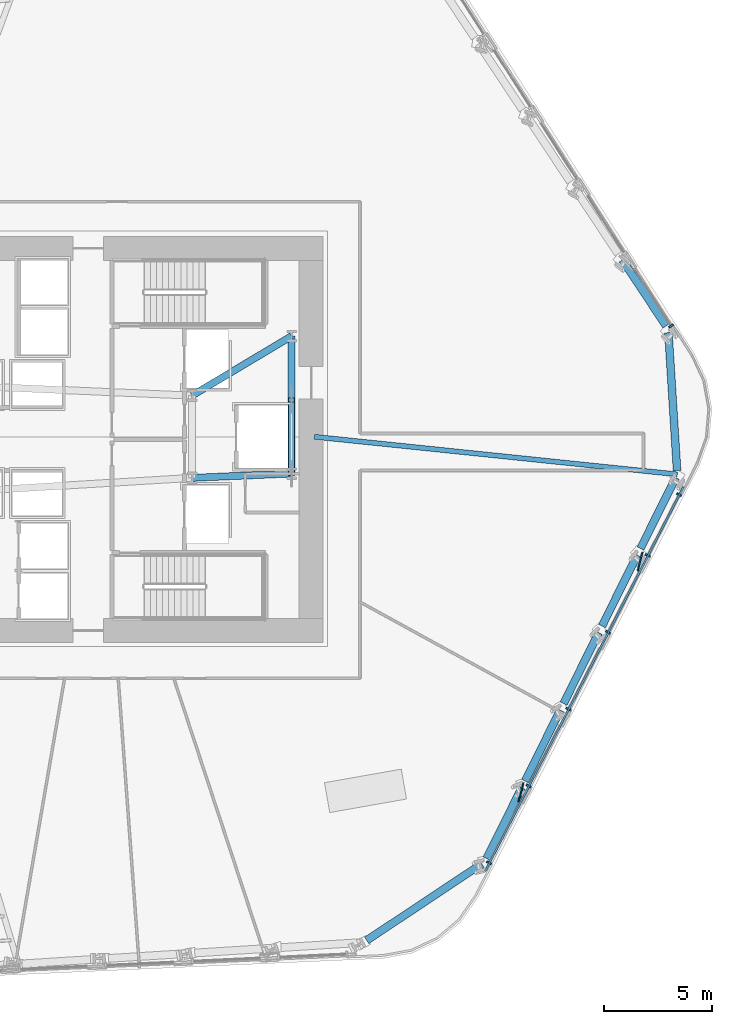
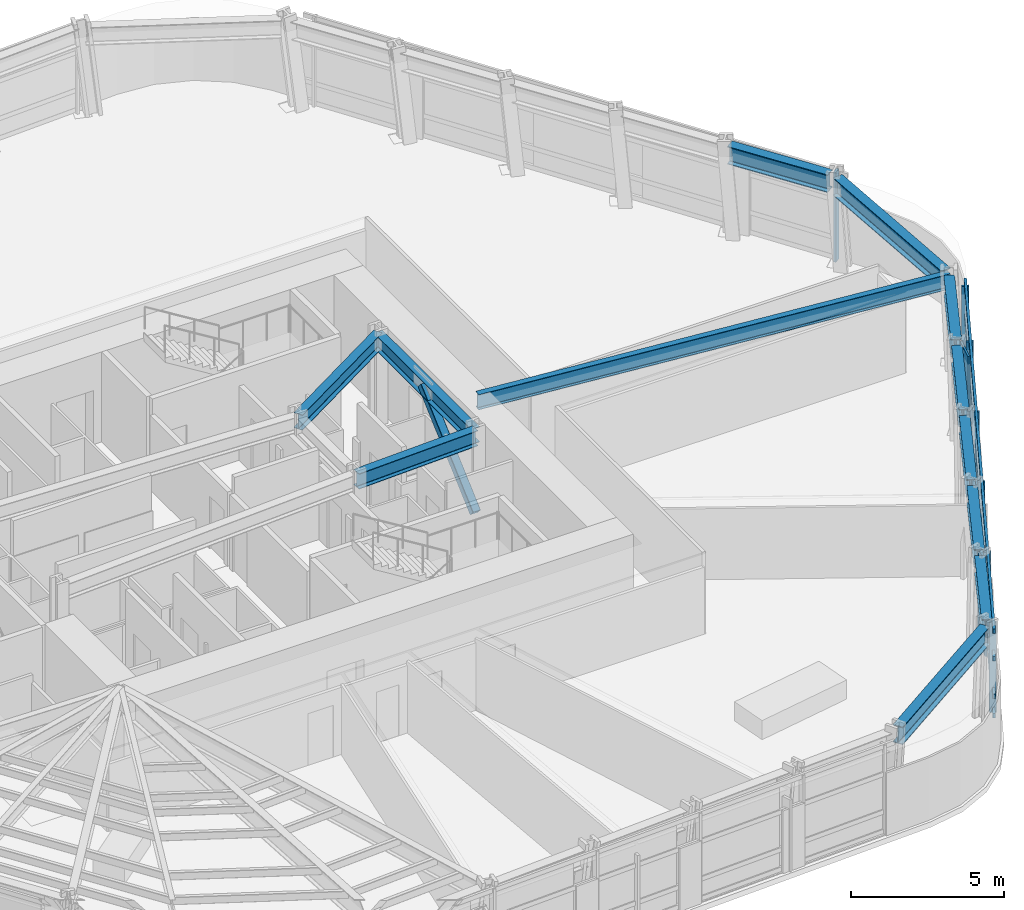
# One storey, part 4 of 15: 14 members, 12 beams, 2 elements without a shape of their own.
"""IFC4 building model written with IfcOpenShell, lengths in metres."""

import ifcopenshell
import ifcopenshell.guid

model = None  # the IFC model being written
_history = None  # IfcOwnerHistory: only IFC2X3 demands one
_inside = {}  # id of a spatial element -> (the spatial element, [elements in it])
_under = {}  # id of a project, library or spatial element -> (it, [spatial elements below it])
_declared = {}  # id of a project -> (the project, [libraries it declares])
_typed = {}  # id of a type object -> (the type object, [elements of that type])
_made_of = {}  # id of a material, layer set ... -> (it, [elements and type objects made of it])


def new_model(schema):
    """Start an empty IFC model of exactly this schema.

    Asked for "IFC4X3", IfcOpenShell would pick the latest addendum, in which some entities
    have other attributes; the version numbers below select the first issue.
    IFC2X3 requires an IfcOwnerHistory on every rooted entity: one is made here for all.
    """
    global model, _history
    if schema == "IFC4X3":
        model = ifcopenshell.file(schema_version=(4, 3, 0, 0))
    else:
        model = ifcopenshell.file(schema=schema)
    _inside.clear()
    _under.clear()
    _declared.clear()
    _typed.clear()
    _made_of.clear()
    _history = None
    if model.schema == "IFC2X3":
        org = make("IfcOrganization", Name="unknown")
        user = make(
            "IfcPersonAndOrganization",
            ThePerson=make("IfcPerson", FamilyName="unknown"),
            TheOrganization=org,
        )
        app = make(
            "IfcApplication",
            ApplicationDeveloper=org,
            Version="unknown",
            ApplicationFullName="unknown",
            ApplicationIdentifier="unknown",
        )
        _history = make(
            "IfcOwnerHistory",
            OwningUser=user,
            OwningApplication=app,
            ChangeAction="ADDED",
            CreationDate=0,
        )
    return model


def make(cls, **values):
    """One entity of the class cls with the attributes given. An attribute that is None is left unset."""
    return model.create_entity(
        cls, **{name: value for name, value in values.items() if value is not None}
    )


def rooted(cls, **values):
    """An entity with a GlobalId (a new one), such as an element, a storey or a relation."""
    return make(cls, GlobalId=ifcopenshell.guid.new(), OwnerHistory=_history, **values)


def si_unit(unit_type, name, prefix=None):
    """IfcSIUnit, for example si_unit("LENGTHUNIT", "METRE", prefix="MILLI")."""
    return make("IfcSIUnit", UnitType=unit_type, Prefix=prefix, Name=name)


def assignment(units):
    """IfcUnitAssignment: the units of a project."""
    return None if units is None else make("IfcUnitAssignment", Units=units)


def point(xyz):
    """IfcCartesianPoint."""
    return None if xyz is None else make("IfcCartesianPoint", Coordinates=xyz)


def direction(xyz):
    """IfcDirection."""
    return None if xyz is None else make("IfcDirection", DirectionRatios=xyz)


def frame(location, z_axis=None, x_axis=None):
    """IfcAxis2Placement3D, a coordinate frame: its origin and axes. An axis left out is left unset."""
    return make(
        "IfcAxis2Placement3D",
        Location=point(location),
        Axis=direction(z_axis),
        RefDirection=direction(x_axis),
    )


def frame_2d(location, x_axis=None):
    """IfcAxis2Placement2D, a coordinate frame in the plane: its origin and x axis."""
    return make(
        "IfcAxis2Placement2D", Location=point(location), RefDirection=direction(x_axis)
    )


def origin():
    """The frame at (0, 0, 0) with its axes left unset."""
    return frame((0.0, 0.0, 0.0))


def origin_2d():
    """The frame at (0, 0) in the plane with its x axis left unset."""
    return frame_2d((0.0, 0.0))


def place(relative_to, where):
    """IfcLocalPlacement: puts the frame where relative to a parent placement (None: the world)."""
    return make(
        "IfcLocalPlacement", PlacementRelTo=relative_to, RelativePlacement=where
    )


def context(
    kind, dimensions, precision=None, world=None, true_north=None, identifier=None
):
    """IfcGeometricRepresentationContext, for example the 3D "Model" context."""
    return make(
        "IfcGeometricRepresentationContext",
        ContextIdentifier=identifier,
        ContextType=kind,
        CoordinateSpaceDimension=dimensions,
        Precision=precision,
        WorldCoordinateSystem=world,
        TrueNorth=true_north,
    )


def subcontext(parent, identifier, kind, view, scale=None):
    """IfcGeometricRepresentationSubContext, for example "Body" below "Model"."""
    return make(
        "IfcGeometricRepresentationSubContext",
        ContextIdentifier=identifier,
        ContextType=kind,
        ParentContext=parent,
        TargetScale=scale,
        TargetView=view,
    )


def project(units=None, contexts=None):
    """IfcProject with its units and contexts."""
    return rooted(
        "IfcProject",
        Name="project",
        RepresentationContexts=contexts,
        UnitsInContext=assignment(units),
    )


def spatial(cls, under=None, at=None, **own):
    """A site, building, storey or space (cls), placed at a placement, below another one or the project."""
    s = rooted(cls, ObjectPlacement=at, **own)
    if under is not None:
        _under.setdefault(under.id(), (under, []))[1].append(s)
    return s


def profile(cls, at=None, kind="AREA", **sizes):
    """A parametric profile (cls). Its sizes go by their IFC names, for example OverallWidth=200.0."""
    return make(cls, ProfileType=kind, Position=at, **sizes)


def rectangle(**sizes):
    """IfcRectangleProfileDef."""
    return profile("IfcRectangleProfileDef", **sizes)


def hollow_rectangle(**sizes):
    """IfcRectangleHollowProfileDef."""
    return profile("IfcRectangleHollowProfileDef", **sizes)


def i_section(**sizes):
    """IfcIShapeProfileDef."""
    return profile("IfcIShapeProfileDef", **sizes)


def extrude(swept, where, along, depth):
    """IfcExtrudedAreaSolid: the profile swept, set in the frame where, extruded along a direction by depth."""
    return make(
        "IfcExtrudedAreaSolid",
        SweptArea=swept,
        Position=where,
        ExtrudedDirection=direction(along),
        Depth=depth,
    )


def shape(context_of_items, identifier, shape_type, items):
    """IfcShapeRepresentation: the items that make up one representation, for example the "Body"."""
    return make(
        "IfcShapeRepresentation",
        ContextOfItems=context_of_items,
        RepresentationIdentifier=identifier,
        RepresentationType=shape_type,
        Items=items,
    )


def material(Name=None, Category=None):
    """IfcMaterial."""
    return make("IfcMaterial", Name=Name, Category=Category)


def layer(
    of_material, thickness, ventilated=None, Name=None, Category=None, Priority=None
):
    """IfcMaterialLayer: one layer of a wall or slab, of a material (None: an air gap)."""
    return make(
        "IfcMaterialLayer",
        Material=of_material,
        LayerThickness=thickness,
        IsVentilated=ventilated,
        Name=Name,
        Category=Category,
        Priority=Priority,
    )


def layer_set(layers, Name=None):
    """IfcMaterialLayerSet."""
    return make("IfcMaterialLayerSet", MaterialLayers=layers, LayerSetName=Name)


def material_profile(
    of_material, cross_section, Name=None, Category=None, Priority=None
):
    """IfcMaterialProfile: a cross section and its material."""
    return make(
        "IfcMaterialProfile",
        Name=Name,
        Material=of_material,
        Profile=cross_section,
        Priority=Priority,
        Category=Category,
    )


def profile_set(profiles, Name=None, composite=None):
    """IfcMaterialProfileSet."""
    return make(
        "IfcMaterialProfileSet",
        Name=Name,
        MaterialProfiles=profiles,
        CompositeProfile=composite,
    )


def made_of(thing, what):
    """Note that an element or type object is made of a material, layer set ...; save() writes the relation."""
    if what is not None:
        _made_of.setdefault(what.id(), (what, []))[1].append(thing)
    return thing


def type_object(cls, material=None, **own):
    """A type object (cls), such as IfcWallType, which elements share."""
    return made_of(rooted(cls, **own), material)


def element(
    cls,
    number,
    at=None,
    inside=None,
    cuts=None,
    type_object=None,
    material=None,
    context=None,
    identifier="Body",
    shape_type=None,
    held_by="IfcProductDefinitionShape",
    body=None,
    shapes=None,
    **own,
):
    """One element of the class cls, such as IfcWall. Its Tag is "e" and its number.

    at: its placement. inside: the storey or other place that contains it. cuts: it is an
    opening in that element (IfcRelVoidsElement). A single representation is given by context,
    identifier, shape_type and body (its items); several are given by shapes. held_by: the class
    of the entity that holds the representations. save() writes the other relations.
    """
    e = rooted(cls, Tag="e%d" % number, ObjectPlacement=at, **own)
    if body is not None:
        shapes = [shape(context, identifier, shape_type, body)]
    if shapes is not None:
        e.Representation = make(held_by, Representations=shapes)
    if inside is not None:
        _inside.setdefault(inside.id(), (inside, []))[1].append(e)
    if cuts is not None:
        rooted(
            "IfcRelVoidsElement", RelatingBuildingElement=cuts, RelatedOpeningElement=e
        )
    if type_object is not None:
        _typed.setdefault(type_object.id(), (type_object, []))[1].append(e)
    return made_of(e, material)


def aggregate(whole, parts):
    """IfcRelAggregates: a whole, such as a stair, and the parts it consists of."""
    return rooted("IfcRelAggregates", RelatingObject=whole, RelatedObjects=parts)


def save(model, path):
    """Write the relations noted so far, then the file.

    IfcRelAggregates (storeys below a building ...), IfcRelContainedInSpatialStructure (elements
    in a storey), IfcRelDefinesByType, IfcRelAssociatesMaterial and IfcRelDeclares: one each for
    every whole, place, type object, material and project.
    """
    for whole, parts in _under.values():
        aggregate(whole, parts)
    for where, things in _inside.values():
        rooted(
            "IfcRelContainedInSpatialStructure",
            RelatedElements=things,
            RelatingStructure=where,
        )
    for kind, things in _typed.values():
        rooted("IfcRelDefinesByType", RelatedObjects=things, RelatingType=kind)
    for what, things in _made_of.values():
        rooted("IfcRelAssociatesMaterial", RelatedObjects=things, RelatingMaterial=what)
    for by, libraries in _declared.values():
        rooted("IfcRelDeclares", RelatingContext=by, RelatedDefinitions=libraries)
    model.write(path)


model = new_model("IFC4")

# Units and contexts
model_context = context("Model", 3, precision=1e-05, world=origin(), true_north=direction((0.0, 1.0)))
body_context = subcontext(model_context, "Body", "Model", "MODEL_VIEW")
ifc_project = project(units=[si_unit("LENGTHUNIT", "METRE"), si_unit("AREAUNIT", "SQUARE_METRE"), si_unit("VOLUMEUNIT", "CUBIC_METRE"), si_unit("PLANEANGLEUNIT", "RADIAN"), si_unit("MASSUNIT", "GRAM", prefix="KILO")], contexts=[model_context])

# Site, building, storey
site_placement = place(None, origin())
site = spatial("IfcSite", under=ifc_project, at=site_placement, CompositionType="ELEMENT")
building_placement = place(site_placement, origin())
building = spatial("IfcBuilding", under=site, at=building_placement, Name="Valkerne Bourse Tower", CompositionType="ELEMENT")
storey_placement = place(building_placement, frame((0.0, 0.0, 35.39990234375)))
storey = spatial("IfcBuildingStorey", under=building, at=storey_placement, Name="L08", CompositionType="ELEMENT", Elevation=35.39990234375)

# Beams
ifc_material_1 = material(Name="Steel ASTM A992", Category="steel")
ifc_material_profile_1 = material_profile(ifc_material_1, i_section(OverallWidth=0.3251953125, OverallDepth=0.612060546875, WebThickness=0.0126953125, FlangeThickness=0.01904296875, FilletRadius=0.020263671875, at=origin_2d()), Name="W24X104")
ifc_profile_set_1 = profile_set([ifc_material_profile_1], Name="Steel ASTM A992")
beam_type_1 = type_object("IfcBeamType", Name="BM-W24X104", PredefinedType="BEAM", material=ifc_profile_set_1)
beam_1_placement = place(storey_placement, frame((50.35009765625, 25.10009765625, 3.27392578125), z_axis=(0.999056558506, 0.043428019819, 0.0), x_axis=(-0.043428019819, 0.999056558506, 0.0)))
element("IfcBeam", 1, at=beam_1_placement, inside=storey, type_object=beam_type_1, Name="L08 Core Frame Girder CG-SE", PredefinedType="BEAM", context=body_context, shape_type="SweptSolid", body=[
    extrude(i_section(OverallWidth=0.3251953125, OverallDepth=0.612060546875, WebThickness=0.0126953125, FlangeThickness=0.01904296875, FilletRadius=0.020263671875, at=origin_2d()), origin(), (0.0, 0.0, 1.0), 4.604248046875),
])
beam_2_placement = place(storey_placement, frame((50.35009765625, 28.89990234375, 3.27392578125), z_axis=(0.858307823492, 0.513135148019, 0.0), x_axis=(-0.513135148019, 0.858307823492, 0.0)))
element("IfcBeam", 2, at=beam_2_placement, inside=storey, type_object=beam_type_1, Name="L08 Core Frame Girder CG-NE", PredefinedType="BEAM", context=body_context, shape_type="SweptSolid", body=[
    extrude(i_section(OverallWidth=0.3251953125, OverallDepth=0.612060546875, WebThickness=0.0126953125, FlangeThickness=0.01904296875, FilletRadius=0.020263671875, at=origin_2d()), origin(), (0.0, 0.0, 1.0), 5.359130859375),
])
beam_3_placement = place(storey_placement, frame((54.949951171875, 25.300048828125, 3.27392578125), z_axis=(0.0, 1.0, 0.0), x_axis=(-1.0, 0.0, 0.0)))
element("IfcBeam", 3, at=beam_3_placement, inside=storey, type_object=beam_type_1, Name="L08 Core Frame Girder CG-EE", PredefinedType="BEAM", context=body_context, shape_type="SweptSolid", body=[
    extrude(i_section(OverallWidth=0.3251953125, OverallDepth=0.612060546875, WebThickness=0.0126953125, FlangeThickness=0.01904296875, FilletRadius=0.020263671875, at=origin_2d()), origin(), (0.0, 0.0, 1.0), 6.349853515625),
])
ifc_material_profile_2 = material_profile(ifc_material_1, i_section(OverallWidth=0.228271484375, OverallDepth=0.607177734375, WebThickness=0.01123046875, FlangeThickness=0.017333984375, FilletRadius=0.017822265625, at=origin_2d()), Name="W24X76")
ifc_profile_set_2 = profile_set([ifc_material_profile_2], Name="Steel ASTM A992")
beam_type_2 = type_object("IfcBeamType", Name="BM-W24X76", PredefinedType="JOIST", material=ifc_profile_set_2)
beam_4_placement = place(storey_placement, frame((72.767822265625, 25.2626953125, 3.276611328125), z_axis=(-0.994675373314, 0.103057759155, 0.0), x_axis=(-0.103057759155, -0.994675373314, 0.0)))
element("IfcBeam", 4, at=beam_4_placement, inside=storey, type_object=beam_type_2, Name="L08 Radial Composite Floor Beam 35", PredefinedType="JOIST", context=body_context, shape_type="SweptSolid", body=[
    extrude(i_section(OverallWidth=0.228271484375, OverallDepth=0.607177734375, WebThickness=0.01123046875, FlangeThickness=0.017333984375, FilletRadius=0.017822265625, at=origin_2d()), origin(), (0.0, 0.0, 1.0), 16.857666015625),
])
ifc_material_profile_3 = material_profile(ifc_material_1, i_section(OverallWidth=0.358154296875, OverallDepth=0.7060546875, WebThickness=0.018310546875, FlangeThickness=0.0302734375, FilletRadius=0.02294921875, at=origin_2d()), Name="W27X178")
ifc_profile_set_3 = profile_set([ifc_material_profile_3], Name="Steel ASTM A992")
beam_type_3 = type_object("IfcBeamType", Name="BM-W27X178", PredefinedType="SPANDREL", material=ifc_profile_set_3)
beam_5_placement = place(storey_placement, frame((72.251220703125, 32.119873046875, 3.22705078125), z_axis=(-0.553389631883, 0.832922514598, 0.0), x_axis=(-0.832922514598, -0.553389631883, 0.0)))
element("IfcBeam", 5, at=beam_5_placement, inside=storey, type_object=beam_type_3, Name="L08 Hexagonal Spandrel Ring Beam 00", PredefinedType="SPANDREL", context=body_context, shape_type="SweptSolid", body=[
    extrude(i_section(OverallWidth=0.358154296875, OverallDepth=0.7060546875, WebThickness=0.018310546875, FlangeThickness=0.0302734375, FilletRadius=0.02294921875, at=origin_2d()), origin(), (0.0, 0.0, 1.0), 3.656005859375),
])
beam_6_placement = place(storey_placement, frame((58.4208984375, 3.736572265625, 3.22705078125), z_axis=(0.832919341556, 0.55339440769, 0.0), x_axis=(-0.55339440769, 0.832919341556, 0.0)))
element("IfcBeam", 6, at=beam_6_placement, inside=storey, type_object=beam_type_3, Name="L08 Hexagonal Spandrel Ring Beam 29", PredefinedType="SPANDREL", context=body_context, shape_type="SweptSolid", body=[
    extrude(i_section(OverallWidth=0.358154296875, OverallDepth=0.7060546875, WebThickness=0.018310546875, FlangeThickness=0.0302734375, FilletRadius=0.02294921875, at=origin_2d()), origin(), (0.0, 0.0, 1.0), 6.388916015625),
])
for number, where, z_axis, x_axis, name in (
    (7, (63.959716796875, 7.5185546875, 3.22705078125), (0.444620658379, 0.895718968284, 0.0), (-0.895718968284, 0.444620658379, 0.0), "L08 Hexagonal Spandrel Ring Beam 30"),
    (8, (65.736328125, 11.097900390625, 3.22705078125), (0.444620658379, 0.895718968284, 0.0), (-0.895718968284, 0.444620658379, 0.0), "L08 Hexagonal Spandrel Ring Beam 31"),
    (9, (67.51318359375, 14.677001953125, 3.22705078125), (0.444594064329, 0.895732168655, 0.0), (-0.895732168655, 0.444594064329, 0.0), "L08 Hexagonal Spandrel Ring Beam 32"),
    (10, (69.289794921875, 18.25634765625, 3.22705078125), (0.444674234349, 0.895692372026, 0.0), (-0.895692372026, 0.444674234349, 0.0), "L08 Hexagonal Spandrel Ring Beam 33"),
    (11, (71.066650390625, 21.835693359375, 3.22705078125), (0.444620658379, 0.895718968284, 0.0), (-0.895718968284, 0.444620658379, 0.0), "L08 Hexagonal Spandrel Ring Beam 34"),
):
    element("IfcBeam", number, at=place(storey_placement, frame(where, z_axis=z_axis, x_axis=x_axis)), inside=storey, type_object=beam_type_3, Name=name, PredefinedType="SPANDREL", context=body_context, shape_type="SweptSolid", body=[
        extrude(i_section(OverallWidth=0.358154296875, OverallDepth=0.7060546875, WebThickness=0.018310546875, FlangeThickness=0.0302734375, FilletRadius=0.02294921875, at=origin_2d()), origin(), (0.0, 0.0, 1.0), 3.656005859375),
    ])
beam_7_placement = place(storey_placement, frame((72.757080078125, 25.432373046875, 3.22705078125), z_axis=(-0.062785100698, 0.998027069337, 0.0), x_axis=(-0.998027069337, -0.062785100698, 0.0)))
element("IfcBeam", 12, at=beam_7_placement, inside=storey, type_object=beam_type_3, Name="L08 Hexagonal Spandrel Ring Beam 35", PredefinedType="SPANDREL", context=body_context, shape_type="SweptSolid", body=[
    extrude(i_section(OverallWidth=0.358154296875, OverallDepth=0.7060546875, WebThickness=0.018310546875, FlangeThickness=0.0302734375, FilletRadius=0.02294921875, at=origin_2d()), origin(), (0.0, 0.0, 1.0), 6.388916015625),
])

# Curtain wall, member
ifc_material_2 = material(Name="Aluminium AA 6063-T6", Category="aluminium")
ifc_layer = layer(ifc_material_2, 0.22509765625)
ifc_layer_set = layer_set([ifc_layer], Name="Aluminium AA 6063-T6")
curtain_wall_type = type_object("IfcCurtainWallType", Name="CW-01", PredefinedType="NOTDEFINED", material=ifc_layer_set)
curtain_wall_1_placement = place(storey_placement, origin())
curtain_wall_1 = element("IfcCurtainWall", 13, at=curtain_wall_1_placement, inside=storey, type_object=curtain_wall_type, Name="L08 Hexagonal Stick Curtain Wall Face 1", PredefinedType="NOTDEFINED")
ifc_material_profile_4 = material_profile(ifc_material_2, rectangle(XDim=0.090087890625, YDim=0.239990234375, at=origin_2d()), Name="CWM-90X240")
ifc_profile_set_4 = profile_set([ifc_material_profile_4], Name="Aluminium AA 6063-T6")
member_type_1 = type_object("IfcMemberType", Name="CW-MUL-240X90", PredefinedType="MULLION", material=ifc_profile_set_4)
member_1_placement = place(storey_placement, frame((72.4794921875, 32.113525390625, 0.0), z_axis=(0.0, 0.0, 1.0), x_axis=(-0.540237656625, 0.841512492102, 0.0)))
member_1 = element("IfcMember", 14, at=member_1_placement, type_object=member_type_1, Name="CW-L08-F1 Jamb Mullion 00A", PredefinedType="MULLION", context=body_context, shape_type="SweptSolid", body=[
    extrude(rectangle(XDim=0.090087890625, YDim=0.239990234375, at=origin_2d()), origin(), (0.0, 0.0, 1.0), 3.580078125),
])
aggregate(curtain_wall_1, [member_1])

# Curtain wall, members
curtain_wall_2_placement = place(storey_placement, origin())
curtain_wall_2 = element("IfcCurtainWall", 15, at=curtain_wall_2_placement, inside=storey, type_object=curtain_wall_type, Name="L08 Hexagonal Stick Curtain Wall Face 6", PredefinedType="NOTDEFINED")
member_2_placement = place(storey_placement, frame((64.068359375, 7.317626953125, 0.0), z_axis=(0.0, 0.0, 1.0), x_axis=(0.458658218467, 0.888612760786, 0.0)))
member_2 = element("IfcMember", 16, at=member_2_placement, type_object=member_type_1, Name="CW-L08-F6 Jamb Mullion 00A", PredefinedType="MULLION", context=body_context, shape_type="SweptSolid", body=[
    extrude(rectangle(XDim=0.090087890625, YDim=0.239990234375, at=origin_2d()), origin(), (0.0, 0.0, 1.0), 3.580078125),
])
member_3_placement = place(storey_placement, frame((65.901123046875, 10.86865234375, 0.0), z_axis=(0.0, 0.0, 1.0), x_axis=(0.458638457578, 0.888622960108, 0.0)))
member_3 = element("IfcMember", 17, at=member_3_placement, type_object=member_type_1, Name="CW-L08-F6 Jamb Mullion 01A", PredefinedType="MULLION", context=body_context, shape_type="SweptSolid", body=[
    extrude(rectangle(XDim=0.090087890625, YDim=0.239990234375, at=origin_2d()), origin(), (0.0, 0.0, 1.0), 3.580078125),
])
member_4_placement = place(storey_placement, frame((67.73388671875, 14.41943359375, 0.0), z_axis=(0.0, 0.0, 1.0), x_axis=(0.458658218467, 0.888612760786, 0.0)))
member_4 = element("IfcMember", 18, at=member_4_placement, type_object=member_type_1, Name="CW-L08-F6 Jamb Mullion 02A", PredefinedType="MULLION", context=body_context, shape_type="SweptSolid", body=[
    extrude(rectangle(XDim=0.090087890625, YDim=0.239990234375, at=origin_2d()), origin(), (0.0, 0.0, 1.0), 3.580078125),
])
member_5_placement = place(storey_placement, frame((69.566650390625, 17.970458984375, 0.0), z_axis=(0.0, 0.0, 1.0), x_axis=(0.458658218467, 0.888612760786, 0.0)))
member_5 = element("IfcMember", 19, at=member_5_placement, type_object=member_type_1, Name="CW-L08-F6 Jamb Mullion 03A", PredefinedType="MULLION", context=body_context, shape_type="SweptSolid", body=[
    extrude(rectangle(XDim=0.090087890625, YDim=0.239990234375, at=origin_2d()), origin(), (0.0, 0.0, 1.0), 3.580078125),
])
member_6_placement = place(storey_placement, frame((71.3994140625, 21.521240234375, 0.0), z_axis=(0.0, 0.0, 1.0), x_axis=(0.458638457578, 0.888622960108, 0.0)))
member_6 = element("IfcMember", 20, at=member_6_placement, type_object=member_type_1, Name="CW-L08-F6 Jamb Mullion 04A", PredefinedType="MULLION", context=body_context, shape_type="SweptSolid", body=[
    extrude(rectangle(XDim=0.090087890625, YDim=0.239990234375, at=origin_2d()), origin(), (0.0, 0.0, 1.0), 3.580078125),
])
member_7_placement = place(storey_placement, frame((72.8466796875, 24.32568359375, 0.0), z_axis=(0.0, 0.0, 1.0), x_axis=(0.458638457578, 0.888622960108, 0.0)))
member_7 = element("IfcMember", 21, at=member_7_placement, type_object=member_type_1, Name="CW-L08-F6 Jamb Mullion 04B", PredefinedType="MULLION", context=body_context, shape_type="SweptSolid", body=[
    extrude(rectangle(XDim=0.090087890625, YDim=0.239990234375, at=origin_2d()), origin(), (0.0, 0.0, 1.0), 3.580078125),
])
ifc_material_profile_5 = material_profile(ifc_material_2, rectangle(XDim=0.090087890625, YDim=0.179931640625, at=origin_2d()), Name="CWT-90X180")
ifc_profile_set_5 = profile_set([ifc_material_profile_5], Name="Aluminium AA 6063-T6")
member_type_2 = type_object("IfcMemberType", Name="CW-TRN-180X90", PredefinedType="USERDEFINED", material=ifc_profile_set_5)
member_8_placement = place(storey_placement, frame((63.893310546875, 6.935302734375, 0.1201171875), z_axis=(0.45865319122, 0.888615355586, 0.0), x_axis=(-0.888615355586, 0.45865319122, 0.0)))
member_8 = element("IfcMember", 22, at=member_8_placement, type_object=member_type_2, Name="CW-L08-F6 Continuous Face Transom 1", ObjectType="TRANSOM", PredefinedType="USERDEFINED", context=body_context, shape_type="SweptSolid", body=[
    extrude(rectangle(XDim=0.090087890625, YDim=0.179931640625, at=origin_2d()), origin(), (0.0, 0.0, 1.0), 19.979736328125),
])
member_9_placement = place(storey_placement, frame((63.893310546875, 6.935302734375, 0.900146484375), z_axis=(0.45865319122, 0.888615355586, 0.0), x_axis=(-0.888615355586, 0.45865319122, 0.0)))
member_9 = element("IfcMember", 23, at=member_9_placement, type_object=member_type_2, Name="CW-L08-F6 Continuous Face Transom 2", ObjectType="TRANSOM", PredefinedType="USERDEFINED", context=body_context, shape_type="SweptSolid", body=[
    extrude(rectangle(XDim=0.090087890625, YDim=0.179931640625, at=origin_2d()), origin(), (0.0, 0.0, 1.0), 19.979736328125),
])
member_10_placement = place(storey_placement, frame((63.893310546875, 6.935302734375, 2.400146484375), z_axis=(0.45865319122, 0.888615355586, 0.0), x_axis=(-0.888615355586, 0.45865319122, 0.0)))
member_10 = element("IfcMember", 24, at=member_10_placement, type_object=member_type_2, Name="CW-L08-F6 Continuous Face Transom 3", ObjectType="TRANSOM", PredefinedType="USERDEFINED", context=body_context, shape_type="SweptSolid", body=[
    extrude(rectangle(XDim=0.090087890625, YDim=0.179931640625, at=origin_2d()), origin(), (0.0, 0.0, 1.0), 19.979736328125),
])
member_11_placement = place(storey_placement, frame((63.893310546875, 6.935302734375, 3.5), z_axis=(0.45865319122, 0.888615355586, 0.0), x_axis=(-0.888615355586, 0.45865319122, 0.0)))
member_11 = element("IfcMember", 25, at=member_11_placement, type_object=member_type_2, Name="CW-L08-F6 Continuous Face Transom 4", ObjectType="TRANSOM", PredefinedType="USERDEFINED", context=body_context, shape_type="SweptSolid", body=[
    extrude(rectangle(XDim=0.090087890625, YDim=0.179931640625, at=origin_2d()), origin(), (0.0, 0.0, 1.0), 19.979736328125),
])
aggregate(curtain_wall_2, [member_8, member_9, member_10, member_11, member_2, member_3, member_4, member_5, member_6, member_7])

# Members
ifc_material_3 = material(Name="Bronze Anodised Aluminium AA 6063-T6", Category="aluminium")
ifc_material_profile_6 = material_profile(ifc_material_3, rectangle(XDim=0.070068359375, YDim=0.89990234375, at=origin_2d()), Name="FIN-70X900")
ifc_profile_set_6 = profile_set([ifc_material_profile_6], Name="Bronze Anodised Aluminium AA 6063-T6")
member_type_3 = type_object("IfcMemberType", Name="FIN-SOLAR-900", PredefinedType="USERDEFINED", material=ifc_profile_set_6)
for number, where, z_axis, x_axis, name in (
    (26, (65.548583984375, 10.577880859375, 0.004150390625), (0.0, 0.0, 1.0), (0.97115328384, -0.238456074125, 0.0), "L08 Bronze Anodised Solar Fin F6-01"),
    (27, (71.046875, 21.230712890625, 0.004150390625), (0.0, 0.0, 1.0), (0.97115328384, -0.238456074125, 0.0), "L08 Bronze Anodised Solar Fin F6-04"),
):
    element("IfcMember", number, at=place(storey_placement, frame(where, z_axis=z_axis, x_axis=x_axis)), inside=storey, type_object=member_type_3, Name=name, ObjectType="SOLAR_FIN", PredefinedType="USERDEFINED", context=body_context, shape_type="SweptSolid", body=[
        extrude(rectangle(XDim=0.070068359375, YDim=0.89990234375, at=origin_2d()), origin(), (0.0, 0.0, 1.0), 3.572021484375),
    ])
ifc_material_4 = material(Name="Steel ASTM A500 Grade C", Category="steel")
ifc_material_profile_7 = material_profile(ifc_material_4, hollow_rectangle(XDim=0.300048828125, YDim=0.300048828125, WallThickness=0.012451171875, OuterFilletRadius=0.02490234375, at=origin_2d()), Name="HSS300X300X12.5")
ifc_profile_set_7 = profile_set([ifc_material_profile_7], Name="Steel ASTM A500 Grade C")
member_type_4 = type_object("IfcMemberType", Name="MBR-HSS300X300X12.5", PredefinedType="STRUT", material=ifc_profile_set_7)
member_12_placement = place(storey_placement, frame((54.949951171875, 25.300048828125, 0.22021484375), z_axis=(0.0, 0.743968491622, 0.668214698636), x_axis=(-1.0, 0.0, 0.0)))
element("IfcMember", 28, at=member_12_placement, inside=storey, type_object=member_type_4, Name="L08 Core Service Pier Lateral Brace", PredefinedType="STRUT", context=body_context, shape_type="SweptSolid", body=[
    extrude(hollow_rectangle(XDim=0.300048828125, YDim=0.300048828125, WallThickness=0.012451171875, OuterFilletRadius=0.02490234375, at=origin_2d()), origin(), (0.0, 0.0, 1.0), 4.570068359375),
])

save(model, "model.ifc")
